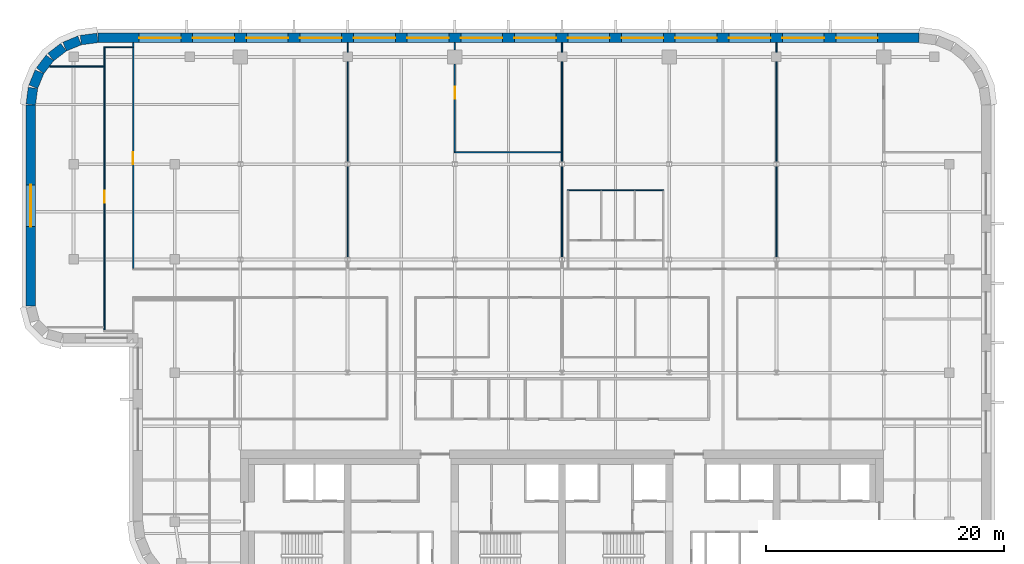
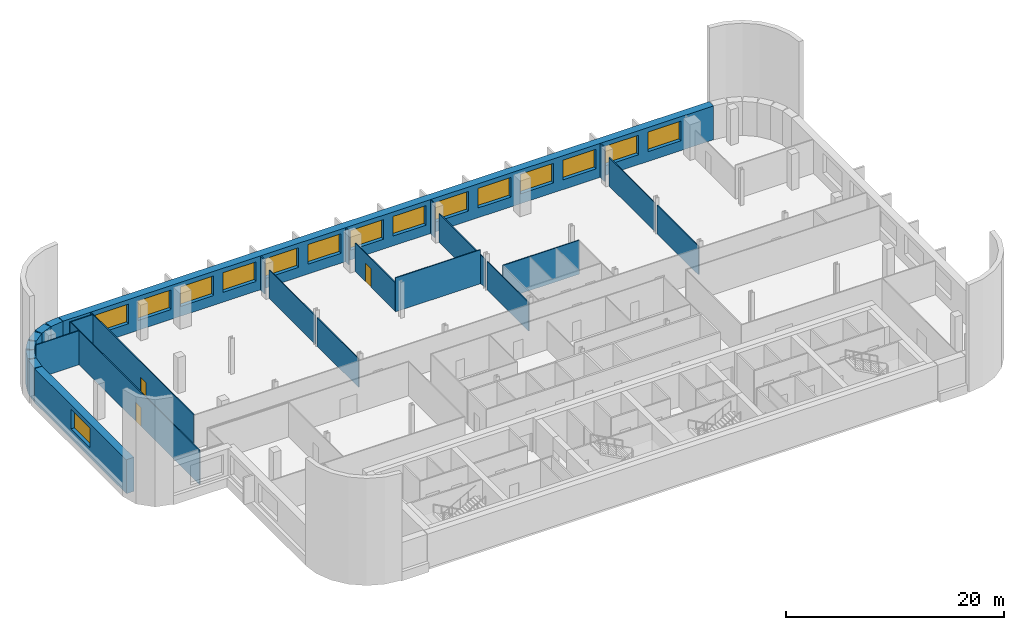
# One storey, part 10 of 16: 25 walls, 15 windows, 3 doors, 18 openings.
"""IFC4 building model written with IfcOpenShell, lengths in metres."""

import ifcopenshell
import ifcopenshell.guid

model = None  # the IFC model being written
_history = None  # IfcOwnerHistory: only IFC2X3 demands one
_inside = {}  # id of a spatial element -> (the spatial element, [elements in it])
_under = {}  # id of a project, library or spatial element -> (it, [spatial elements below it])
_declared = {}  # id of a project -> (the project, [libraries it declares])
_typed = {}  # id of a type object -> (the type object, [elements of that type])
_made_of = {}  # id of a material, layer set ... -> (it, [elements and type objects made of it])


def new_model(schema):
    """Start an empty IFC model of exactly this schema.

    Asked for "IFC4X3", IfcOpenShell would pick the latest addendum, in which some entities
    have other attributes; the version numbers below select the first issue.
    IFC2X3 requires an IfcOwnerHistory on every rooted entity: one is made here for all.
    """
    global model, _history
    if schema == "IFC4X3":
        model = ifcopenshell.file(schema_version=(4, 3, 0, 0))
    else:
        model = ifcopenshell.file(schema=schema)
    _inside.clear()
    _under.clear()
    _declared.clear()
    _typed.clear()
    _made_of.clear()
    _history = None
    if model.schema == "IFC2X3":
        org = make("IfcOrganization", Name="unknown")
        user = make(
            "IfcPersonAndOrganization",
            ThePerson=make("IfcPerson", FamilyName="unknown"),
            TheOrganization=org,
        )
        app = make(
            "IfcApplication",
            ApplicationDeveloper=org,
            Version="unknown",
            ApplicationFullName="unknown",
            ApplicationIdentifier="unknown",
        )
        _history = make(
            "IfcOwnerHistory",
            OwningUser=user,
            OwningApplication=app,
            ChangeAction="ADDED",
            CreationDate=0,
        )
    return model


def make(cls, **values):
    """One entity of the class cls with the attributes given. An attribute that is None is left unset."""
    return model.create_entity(
        cls, **{name: value for name, value in values.items() if value is not None}
    )


def rooted(cls, **values):
    """An entity with a GlobalId (a new one), such as an element, a storey or a relation."""
    return make(cls, GlobalId=ifcopenshell.guid.new(), OwnerHistory=_history, **values)


def si_unit(unit_type, name, prefix=None):
    """IfcSIUnit, for example si_unit("LENGTHUNIT", "METRE", prefix="MILLI")."""
    return make("IfcSIUnit", UnitType=unit_type, Prefix=prefix, Name=name)


def assignment(units):
    """IfcUnitAssignment: the units of a project."""
    return None if units is None else make("IfcUnitAssignment", Units=units)


def point(xyz):
    """IfcCartesianPoint."""
    return None if xyz is None else make("IfcCartesianPoint", Coordinates=xyz)


def direction(xyz):
    """IfcDirection."""
    return None if xyz is None else make("IfcDirection", DirectionRatios=xyz)


def frame(location, z_axis=None, x_axis=None):
    """IfcAxis2Placement3D, a coordinate frame: its origin and axes. An axis left out is left unset."""
    return make(
        "IfcAxis2Placement3D",
        Location=point(location),
        Axis=direction(z_axis),
        RefDirection=direction(x_axis),
    )


def frame_2d(location, x_axis=None):
    """IfcAxis2Placement2D, a coordinate frame in the plane: its origin and x axis."""
    return make(
        "IfcAxis2Placement2D", Location=point(location), RefDirection=direction(x_axis)
    )


def origin():
    """The frame at (0, 0, 0) with its axes left unset."""
    return frame((0.0, 0.0, 0.0))


def place(relative_to, where):
    """IfcLocalPlacement: puts the frame where relative to a parent placement (None: the world)."""
    return make(
        "IfcLocalPlacement", PlacementRelTo=relative_to, RelativePlacement=where
    )


def context(
    kind, dimensions, precision=None, world=None, true_north=None, identifier=None
):
    """IfcGeometricRepresentationContext, for example the 3D "Model" context."""
    return make(
        "IfcGeometricRepresentationContext",
        ContextIdentifier=identifier,
        ContextType=kind,
        CoordinateSpaceDimension=dimensions,
        Precision=precision,
        WorldCoordinateSystem=world,
        TrueNorth=true_north,
    )


def subcontext(parent, identifier, kind, view, scale=None):
    """IfcGeometricRepresentationSubContext, for example "Body" below "Model"."""
    return make(
        "IfcGeometricRepresentationSubContext",
        ContextIdentifier=identifier,
        ContextType=kind,
        ParentContext=parent,
        TargetScale=scale,
        TargetView=view,
    )


def project(units=None, contexts=None):
    """IfcProject with its units and contexts."""
    return rooted(
        "IfcProject",
        Name="project",
        RepresentationContexts=contexts,
        UnitsInContext=assignment(units),
    )


def spatial(cls, under=None, at=None, **own):
    """A site, building, storey or space (cls), placed at a placement, below another one or the project."""
    s = rooted(cls, ObjectPlacement=at, **own)
    if under is not None:
        _under.setdefault(under.id(), (under, []))[1].append(s)
    return s


def profile(cls, at=None, kind="AREA", **sizes):
    """A parametric profile (cls). Its sizes go by their IFC names, for example OverallWidth=200.0."""
    return make(cls, ProfileType=kind, Position=at, **sizes)


def rectangle(**sizes):
    """IfcRectangleProfileDef."""
    return profile("IfcRectangleProfileDef", **sizes)


def extrude(swept, where, along, depth):
    """IfcExtrudedAreaSolid: the profile swept, set in the frame where, extruded along a direction by depth."""
    return make(
        "IfcExtrudedAreaSolid",
        SweptArea=swept,
        Position=where,
        ExtrudedDirection=direction(along),
        Depth=depth,
    )


def shape(context_of_items, identifier, shape_type, items):
    """IfcShapeRepresentation: the items that make up one representation, for example the "Body"."""
    return make(
        "IfcShapeRepresentation",
        ContextOfItems=context_of_items,
        RepresentationIdentifier=identifier,
        RepresentationType=shape_type,
        Items=items,
    )


def material(Name=None, Category=None):
    """IfcMaterial."""
    return make("IfcMaterial", Name=Name, Category=Category)


def layer(
    of_material, thickness, ventilated=None, Name=None, Category=None, Priority=None
):
    """IfcMaterialLayer: one layer of a wall or slab, of a material (None: an air gap)."""
    return make(
        "IfcMaterialLayer",
        Material=of_material,
        LayerThickness=thickness,
        IsVentilated=ventilated,
        Name=Name,
        Category=Category,
        Priority=Priority,
    )


def layer_set(layers, Name=None):
    """IfcMaterialLayerSet."""
    return make("IfcMaterialLayerSet", MaterialLayers=layers, LayerSetName=Name)


def made_of(thing, what):
    """Note that an element or type object is made of a material, layer set ...; save() writes the relation."""
    if what is not None:
        _made_of.setdefault(what.id(), (what, []))[1].append(thing)
    return thing


def type_object(cls, material=None, **own):
    """A type object (cls), such as IfcWallType, which elements share."""
    return made_of(rooted(cls, **own), material)


def element(
    cls,
    number,
    at=None,
    inside=None,
    cuts=None,
    type_object=None,
    material=None,
    context=None,
    identifier="Body",
    shape_type=None,
    held_by="IfcProductDefinitionShape",
    body=None,
    shapes=None,
    **own,
):
    """One element of the class cls, such as IfcWall. Its Tag is "e" and its number.

    at: its placement. inside: the storey or other place that contains it. cuts: it is an
    opening in that element (IfcRelVoidsElement). A single representation is given by context,
    identifier, shape_type and body (its items); several are given by shapes. held_by: the class
    of the entity that holds the representations. save() writes the other relations.
    """
    e = rooted(cls, Tag="e%d" % number, ObjectPlacement=at, **own)
    if body is not None:
        shapes = [shape(context, identifier, shape_type, body)]
    if shapes is not None:
        e.Representation = make(held_by, Representations=shapes)
    if inside is not None:
        _inside.setdefault(inside.id(), (inside, []))[1].append(e)
    if cuts is not None:
        rooted(
            "IfcRelVoidsElement", RelatingBuildingElement=cuts, RelatedOpeningElement=e
        )
    if type_object is not None:
        _typed.setdefault(type_object.id(), (type_object, []))[1].append(e)
    return made_of(e, material)


def fill(opening, filler):
    """IfcRelFillsElement: the door or window that sits in an opening."""
    return rooted(
        "IfcRelFillsElement",
        RelatingOpeningElement=opening,
        RelatedBuildingElement=filler,
    )


def aggregate(whole, parts):
    """IfcRelAggregates: a whole, such as a stair, and the parts it consists of."""
    return rooted("IfcRelAggregates", RelatingObject=whole, RelatedObjects=parts)


def save(model, path):
    """Write the relations noted so far, then the file.

    IfcRelAggregates (storeys below a building ...), IfcRelContainedInSpatialStructure (elements
    in a storey), IfcRelDefinesByType, IfcRelAssociatesMaterial and IfcRelDeclares: one each for
    every whole, place, type object, material and project.
    """
    for whole, parts in _under.values():
        aggregate(whole, parts)
    for where, things in _inside.values():
        rooted(
            "IfcRelContainedInSpatialStructure",
            RelatedElements=things,
            RelatingStructure=where,
        )
    for kind, things in _typed.values():
        rooted("IfcRelDefinesByType", RelatedObjects=things, RelatingType=kind)
    for what, things in _made_of.values():
        rooted("IfcRelAssociatesMaterial", RelatedObjects=things, RelatingMaterial=what)
    for by, libraries in _declared.values():
        rooted("IfcRelDeclares", RelatingContext=by, RelatedDefinitions=libraries)
    model.write(path)


model = new_model("IFC4")

# Units and contexts
model_context = context("Model", 3, precision=1e-05, world=origin(), true_north=direction((0.0, 1.0)))
body_context = subcontext(model_context, "Body", "Model", "MODEL_VIEW")
ifc_project = project(units=[si_unit("LENGTHUNIT", "METRE"), si_unit("AREAUNIT", "SQUARE_METRE"), si_unit("VOLUMEUNIT", "CUBIC_METRE"), si_unit("PLANEANGLEUNIT", "RADIAN"), si_unit("MASSUNIT", "GRAM", prefix="KILO")], contexts=[model_context])

# Site, building, storey
site_placement = place(None, origin())
site = spatial("IfcSite", under=ifc_project, at=site_placement, CompositionType="ELEMENT")
building_placement = place(site_placement, origin())
building = spatial("IfcBuilding", under=site, at=building_placement, Name="Zellij Exchange Tower", CompositionType="ELEMENT")
storey_placement = place(building_placement, frame((0.0, 0.0, 244.5)))
storey = spatial("IfcBuildingStorey", under=building, at=storey_placement, Name="L57", CompositionType="ELEMENT", Elevation=244.5)

# Wall, openings, windows
ifc_material_1 = material(Name="Precast concrete C40/50", Category="concrete")
ifc_layer_1 = layer(ifc_material_1, 0.800048828125)
ifc_layer_set_1 = layer_set([ifc_layer_1], Name="Precast concrete C40/50")
wall_type_1 = type_object("IfcWallType", Name="ENV-EW1 Precast stone-piered wall 800", PredefinedType="SOLIDWALL", material=ifc_layer_set_1)
wall_1_placement = place(storey_placement, frame((29.947509765625, 32.60009765625, 0.0), z_axis=(0.0, 0.0, 1.0), x_axis=(-1.0, 0.0, 0.0)))
wall_1 = element("IfcWall", 1, at=wall_1_placement, inside=storey, type_object=wall_type_1, Name="fac.L57.14", PredefinedType="SOLIDWALL", context=body_context, shape_type="SweptSolid", body=[
    extrude(rectangle(XDim=68.89501953125, YDim=0.800048828125, at=frame_2d((34.447509765625, 0.0))), origin(), (0.0, 0.0, 1.0), 3.800048828125),
])
opening_1_placement = place(wall_1_placement, frame((3.447509765625, 0.0, 1.10009765625)))
opening_1 = element("IfcOpeningElement", 2, at=opening_1_placement, cuts=wall_1, Name="Opening FZ4.06", PredefinedType="OPENING", context=body_context, shape_type="SweptSolid", body=[
    extrude(rectangle(XDim=3.5, YDim=2.199951171875, at=frame_2d((1.75, 1.10009765625))), frame((0.0, 0.412109375, 0.0), z_axis=(0.0, -1.0, 0.0), x_axis=(1.0, 0.0, 0.0)), (0.0, 0.0, 1.0), 0.823974609375),
])
opening_2_placement = place(wall_1_placement, frame((7.947509765625, 0.0, 1.10009765625)))
opening_2 = element("IfcOpeningElement", 3, at=opening_2_placement, cuts=wall_1, Name="Opening FZ4.07", PredefinedType="OPENING", context=body_context, shape_type="SweptSolid", body=[
    extrude(rectangle(XDim=3.5, YDim=2.199951171875, at=frame_2d((1.75, 1.10009765625))), frame((0.0, 0.412109375, 0.0), z_axis=(0.0, -1.0, 0.0), x_axis=(1.0, 0.0, 0.0)), (0.0, 0.0, 1.0), 0.823974609375),
])
opening_3_placement = place(wall_1_placement, frame((12.447509765625, 0.0, 1.10009765625)))
opening_3 = element("IfcOpeningElement", 4, at=opening_3_placement, cuts=wall_1, Name="Opening FZ4.08", PredefinedType="OPENING", context=body_context, shape_type="SweptSolid", body=[
    extrude(rectangle(XDim=3.5, YDim=2.199951171875, at=frame_2d((1.75, 1.10009765625))), frame((0.0, 0.412109375, 0.0), z_axis=(0.0, -1.0, 0.0), x_axis=(1.0, 0.0, 0.0)), (0.0, 0.0, 1.0), 0.823974609375),
])
opening_4_placement = place(wall_1_placement, frame((16.947509765625, 0.0, 1.10009765625)))
opening_4 = element("IfcOpeningElement", 5, at=opening_4_placement, cuts=wall_1, Name="Opening FZ4.09", PredefinedType="OPENING", context=body_context, shape_type="SweptSolid", body=[
    extrude(rectangle(XDim=3.5, YDim=2.199951171875, at=frame_2d((1.75, 1.10009765625))), frame((0.0, 0.412109375, 0.0), z_axis=(0.0, -1.0, 0.0), x_axis=(1.0, 0.0, 0.0)), (0.0, 0.0, 1.0), 0.823974609375),
])
opening_5_placement = place(wall_1_placement, frame((21.447509765625, 0.0, 1.10009765625)))
opening_5 = element("IfcOpeningElement", 6, at=opening_5_placement, cuts=wall_1, Name="Opening FZ4.10", PredefinedType="OPENING", context=body_context, shape_type="SweptSolid", body=[
    extrude(rectangle(XDim=3.5, YDim=2.199951171875, at=frame_2d((1.75, 1.10009765625))), frame((0.0, 0.412109375, 0.0), z_axis=(0.0, -1.0, 0.0), x_axis=(1.0, 0.0, 0.0)), (0.0, 0.0, 1.0), 0.823974609375),
])
opening_6_placement = place(wall_1_placement, frame((25.947509765625, 0.0, 1.10009765625)))
opening_6 = element("IfcOpeningElement", 7, at=opening_6_placement, cuts=wall_1, Name="Opening FZ4.11", PredefinedType="OPENING", context=body_context, shape_type="SweptSolid", body=[
    extrude(rectangle(XDim=3.5, YDim=2.199951171875, at=frame_2d((1.75, 1.10009765625))), frame((0.0, 0.412109375, 0.0), z_axis=(0.0, -1.0, 0.0), x_axis=(1.0, 0.0, 0.0)), (0.0, 0.0, 1.0), 0.823974609375),
])
opening_7_placement = place(wall_1_placement, frame((30.447509765625, 0.0, 1.10009765625)))
opening_7 = element("IfcOpeningElement", 8, at=opening_7_placement, cuts=wall_1, Name="Opening FZ4.12", PredefinedType="OPENING", context=body_context, shape_type="SweptSolid", body=[
    extrude(rectangle(XDim=3.5, YDim=2.199951171875, at=frame_2d((1.75, 1.10009765625))), frame((0.0, 0.412109375, 0.0), z_axis=(0.0, -1.0, 0.0), x_axis=(1.0, 0.0, 0.0)), (0.0, 0.0, 1.0), 0.823974609375),
])
opening_8_placement = place(wall_1_placement, frame((34.947509765625, 0.0, 1.10009765625)))
opening_8 = element("IfcOpeningElement", 9, at=opening_8_placement, cuts=wall_1, Name="Opening FZ4.13", PredefinedType="OPENING", context=body_context, shape_type="SweptSolid", body=[
    extrude(rectangle(XDim=3.5, YDim=2.199951171875, at=frame_2d((1.75, 1.10009765625))), frame((0.0, 0.412109375, 0.0), z_axis=(0.0, -1.0, 0.0), x_axis=(1.0, 0.0, 0.0)), (0.0, 0.0, 1.0), 0.823974609375),
])
opening_9_placement = place(wall_1_placement, frame((39.447509765625, 0.0, 1.10009765625)))
opening_9 = element("IfcOpeningElement", 10, at=opening_9_placement, cuts=wall_1, Name="Opening FZ4.14", PredefinedType="OPENING", context=body_context, shape_type="SweptSolid", body=[
    extrude(rectangle(XDim=3.5, YDim=2.199951171875, at=frame_2d((1.75, 1.10009765625))), frame((0.0, 0.412109375, 0.0), z_axis=(0.0, -1.0, 0.0), x_axis=(1.0, 0.0, 0.0)), (0.0, 0.0, 1.0), 0.823974609375),
])
opening_10_placement = place(wall_1_placement, frame((43.947509765625, 0.0, 1.10009765625)))
opening_10 = element("IfcOpeningElement", 11, at=opening_10_placement, cuts=wall_1, Name="Opening FZ4.15", PredefinedType="OPENING", context=body_context, shape_type="SweptSolid", body=[
    extrude(rectangle(XDim=3.5, YDim=2.199951171875, at=frame_2d((1.75, 1.10009765625))), frame((0.0, 0.412109375, 0.0), z_axis=(0.0, -1.0, 0.0), x_axis=(1.0, 0.0, 0.0)), (0.0, 0.0, 1.0), 0.823974609375),
])
opening_11_placement = place(wall_1_placement, frame((48.447509765625, 0.0, 1.10009765625)))
opening_11 = element("IfcOpeningElement", 12, at=opening_11_placement, cuts=wall_1, Name="Opening FZ4.16", PredefinedType="OPENING", context=body_context, shape_type="SweptSolid", body=[
    extrude(rectangle(XDim=3.5, YDim=2.199951171875, at=frame_2d((1.75, 1.10009765625))), frame((0.0, 0.412109375, 0.0), z_axis=(0.0, -1.0, 0.0), x_axis=(1.0, 0.0, 0.0)), (0.0, 0.0, 1.0), 0.823974609375),
])
opening_12_placement = place(wall_1_placement, frame((52.947509765625, 0.0, 1.10009765625)))
opening_12 = element("IfcOpeningElement", 13, at=opening_12_placement, cuts=wall_1, Name="Opening FZ4.17", PredefinedType="OPENING", context=body_context, shape_type="SweptSolid", body=[
    extrude(rectangle(XDim=3.5, YDim=2.199951171875, at=frame_2d((1.75, 1.10009765625))), frame((0.0, 0.412109375, 0.0), z_axis=(0.0, -1.0, 0.0), x_axis=(1.0, 0.0, 0.0)), (0.0, 0.0, 1.0), 0.823974609375),
])
opening_13_placement = place(wall_1_placement, frame((57.447509765625, 0.0, 1.10009765625)))
opening_13 = element("IfcOpeningElement", 14, at=opening_13_placement, cuts=wall_1, Name="Opening FZ4.18", PredefinedType="OPENING", context=body_context, shape_type="SweptSolid", body=[
    extrude(rectangle(XDim=3.5, YDim=2.199951171875, at=frame_2d((1.75, 1.10009765625))), frame((0.0, 0.412109375, 0.0), z_axis=(0.0, -1.0, 0.0), x_axis=(1.0, 0.0, 0.0)), (0.0, 0.0, 1.0), 0.823974609375),
])
opening_14_placement = place(wall_1_placement, frame((61.947509765625, 0.0, 1.10009765625)))
opening_14 = element("IfcOpeningElement", 15, at=opening_14_placement, cuts=wall_1, Name="Opening FZ4.19", PredefinedType="OPENING", context=body_context, shape_type="SweptSolid", body=[
    extrude(rectangle(XDim=3.5, YDim=2.199951171875, at=frame_2d((1.75, 1.10009765625))), frame((0.0, 0.412109375, 0.0), z_axis=(0.0, -1.0, 0.0), x_axis=(1.0, 0.0, 0.0)), (0.0, 0.0, 1.0), 0.823974609375),
])
ifc_material_2 = material(Name="Aluminium frame with insulating glass", Category="aluminium")
window_type = type_object("IfcWindowType", Name="ENV-W7 Window 3500x2200", PartitioningType="SINGLE_PANEL", PredefinedType="WINDOW", material=ifc_material_2)
window_1_placement = place(opening_1_placement, origin())
window_1 = element("IfcWindow", 16, at=window_1_placement, inside=storey, type_object=window_type, Name="Window FZ4.06", OverallHeight=2.199951171875, OverallWidth=3.5, PartitioningType="SINGLE_PANEL", PredefinedType="WINDOW", context=body_context, shape_type="SweptSolid", body=[
    extrude(rectangle(XDim=3.5, YDim=2.199951171875, at=frame_2d((1.75, 1.10009765625))), frame((0.0, 0.030029296875, 0.0), z_axis=(0.0, -1.0, 0.0), x_axis=(1.0, 0.0, 0.0)), (0.0, 0.0, 1.0), 0.06005859375),
])
fill(opening_1, window_1)
window_2_placement = place(opening_2_placement, origin())
window_2 = element("IfcWindow", 17, at=window_2_placement, inside=storey, type_object=window_type, Name="Window FZ4.07", OverallHeight=2.199951171875, OverallWidth=3.5, PartitioningType="SINGLE_PANEL", PredefinedType="WINDOW", context=body_context, shape_type="SweptSolid", body=[
    extrude(rectangle(XDim=3.5, YDim=2.199951171875, at=frame_2d((1.75, 1.10009765625))), frame((0.0, 0.030029296875, 0.0), z_axis=(0.0, -1.0, 0.0), x_axis=(1.0, 0.0, 0.0)), (0.0, 0.0, 1.0), 0.06005859375),
])
fill(opening_2, window_2)
window_3_placement = place(opening_3_placement, origin())
window_3 = element("IfcWindow", 18, at=window_3_placement, inside=storey, type_object=window_type, Name="Window FZ4.08", OverallHeight=2.199951171875, OverallWidth=3.5, PartitioningType="SINGLE_PANEL", PredefinedType="WINDOW", context=body_context, shape_type="SweptSolid", body=[
    extrude(rectangle(XDim=3.5, YDim=2.199951171875, at=frame_2d((1.75, 1.10009765625))), frame((0.0, 0.030029296875, 0.0), z_axis=(0.0, -1.0, 0.0), x_axis=(1.0, 0.0, 0.0)), (0.0, 0.0, 1.0), 0.06005859375),
])
fill(opening_3, window_3)
window_4_placement = place(opening_4_placement, origin())
window_4 = element("IfcWindow", 19, at=window_4_placement, inside=storey, type_object=window_type, Name="Window FZ4.09", OverallHeight=2.199951171875, OverallWidth=3.5, PartitioningType="SINGLE_PANEL", PredefinedType="WINDOW", context=body_context, shape_type="SweptSolid", body=[
    extrude(rectangle(XDim=3.5, YDim=2.199951171875, at=frame_2d((1.75, 1.10009765625))), frame((0.0, 0.030029296875, 0.0), z_axis=(0.0, -1.0, 0.0), x_axis=(1.0, 0.0, 0.0)), (0.0, 0.0, 1.0), 0.06005859375),
])
fill(opening_4, window_4)
window_5_placement = place(opening_5_placement, origin())
window_5 = element("IfcWindow", 20, at=window_5_placement, inside=storey, type_object=window_type, Name="Window FZ4.10", OverallHeight=2.199951171875, OverallWidth=3.5, PartitioningType="SINGLE_PANEL", PredefinedType="WINDOW", context=body_context, shape_type="SweptSolid", body=[
    extrude(rectangle(XDim=3.5, YDim=2.199951171875, at=frame_2d((1.75, 1.10009765625))), frame((0.0, 0.030029296875, 0.0), z_axis=(0.0, -1.0, 0.0), x_axis=(1.0, 0.0, 0.0)), (0.0, 0.0, 1.0), 0.06005859375),
])
fill(opening_5, window_5)
window_6_placement = place(opening_6_placement, origin())
window_6 = element("IfcWindow", 21, at=window_6_placement, inside=storey, type_object=window_type, Name="Window FZ4.11", OverallHeight=2.199951171875, OverallWidth=3.5, PartitioningType="SINGLE_PANEL", PredefinedType="WINDOW", context=body_context, shape_type="SweptSolid", body=[
    extrude(rectangle(XDim=3.5, YDim=2.199951171875, at=frame_2d((1.75, 1.10009765625))), frame((0.0, 0.030029296875, 0.0), z_axis=(0.0, -1.0, 0.0), x_axis=(1.0, 0.0, 0.0)), (0.0, 0.0, 1.0), 0.06005859375),
])
fill(opening_6, window_6)
window_7_placement = place(opening_7_placement, origin())
window_7 = element("IfcWindow", 22, at=window_7_placement, inside=storey, type_object=window_type, Name="Window FZ4.12", OverallHeight=2.199951171875, OverallWidth=3.5, PartitioningType="SINGLE_PANEL", PredefinedType="WINDOW", context=body_context, shape_type="SweptSolid", body=[
    extrude(rectangle(XDim=3.5, YDim=2.199951171875, at=frame_2d((1.75, 1.10009765625))), frame((0.0, 0.030029296875, 0.0), z_axis=(0.0, -1.0, 0.0), x_axis=(1.0, 0.0, 0.0)), (0.0, 0.0, 1.0), 0.06005859375),
])
fill(opening_7, window_7)
window_8_placement = place(opening_8_placement, origin())
window_8 = element("IfcWindow", 23, at=window_8_placement, inside=storey, type_object=window_type, Name="Window FZ4.13", OverallHeight=2.199951171875, OverallWidth=3.5, PartitioningType="SINGLE_PANEL", PredefinedType="WINDOW", context=body_context, shape_type="SweptSolid", body=[
    extrude(rectangle(XDim=3.5, YDim=2.199951171875, at=frame_2d((1.75, 1.10009765625))), frame((0.0, 0.030029296875, 0.0), z_axis=(0.0, -1.0, 0.0), x_axis=(1.0, 0.0, 0.0)), (0.0, 0.0, 1.0), 0.06005859375),
])
fill(opening_8, window_8)
window_9_placement = place(opening_9_placement, origin())
window_9 = element("IfcWindow", 24, at=window_9_placement, inside=storey, type_object=window_type, Name="Window FZ4.14", OverallHeight=2.199951171875, OverallWidth=3.5, PartitioningType="SINGLE_PANEL", PredefinedType="WINDOW", context=body_context, shape_type="SweptSolid", body=[
    extrude(rectangle(XDim=3.5, YDim=2.199951171875, at=frame_2d((1.75, 1.10009765625))), frame((0.0, 0.030029296875, 0.0), z_axis=(0.0, -1.0, 0.0), x_axis=(1.0, 0.0, 0.0)), (0.0, 0.0, 1.0), 0.06005859375),
])
fill(opening_9, window_9)
window_10_placement = place(opening_10_placement, origin())
window_10 = element("IfcWindow", 25, at=window_10_placement, inside=storey, type_object=window_type, Name="Window FZ4.15", OverallHeight=2.199951171875, OverallWidth=3.5, PartitioningType="SINGLE_PANEL", PredefinedType="WINDOW", context=body_context, shape_type="SweptSolid", body=[
    extrude(rectangle(XDim=3.5, YDim=2.199951171875, at=frame_2d((1.75, 1.10009765625))), frame((0.0, 0.030029296875, 0.0), z_axis=(0.0, -1.0, 0.0), x_axis=(1.0, 0.0, 0.0)), (0.0, 0.0, 1.0), 0.06005859375),
])
fill(opening_10, window_10)
window_11_placement = place(opening_11_placement, origin())
window_11 = element("IfcWindow", 26, at=window_11_placement, inside=storey, type_object=window_type, Name="Window FZ4.16", OverallHeight=2.199951171875, OverallWidth=3.5, PartitioningType="SINGLE_PANEL", PredefinedType="WINDOW", context=body_context, shape_type="SweptSolid", body=[
    extrude(rectangle(XDim=3.5, YDim=2.199951171875, at=frame_2d((1.75, 1.10009765625))), frame((0.0, 0.030029296875, 0.0), z_axis=(0.0, -1.0, 0.0), x_axis=(1.0, 0.0, 0.0)), (0.0, 0.0, 1.0), 0.06005859375),
])
fill(opening_11, window_11)
window_12_placement = place(opening_12_placement, origin())
window_12 = element("IfcWindow", 27, at=window_12_placement, inside=storey, type_object=window_type, Name="Window FZ4.17", OverallHeight=2.199951171875, OverallWidth=3.5, PartitioningType="SINGLE_PANEL", PredefinedType="WINDOW", context=body_context, shape_type="SweptSolid", body=[
    extrude(rectangle(XDim=3.5, YDim=2.199951171875, at=frame_2d((1.75, 1.10009765625))), frame((0.0, 0.030029296875, 0.0), z_axis=(0.0, -1.0, 0.0), x_axis=(1.0, 0.0, 0.0)), (0.0, 0.0, 1.0), 0.06005859375),
])
fill(opening_12, window_12)
window_13_placement = place(opening_13_placement, origin())
window_13 = element("IfcWindow", 28, at=window_13_placement, inside=storey, type_object=window_type, Name="Window FZ4.18", OverallHeight=2.199951171875, OverallWidth=3.5, PartitioningType="SINGLE_PANEL", PredefinedType="WINDOW", context=body_context, shape_type="SweptSolid", body=[
    extrude(rectangle(XDim=3.5, YDim=2.199951171875, at=frame_2d((1.75, 1.10009765625))), frame((0.0, 0.030029296875, 0.0), z_axis=(0.0, -1.0, 0.0), x_axis=(1.0, 0.0, 0.0)), (0.0, 0.0, 1.0), 0.06005859375),
])
fill(opening_13, window_13)
window_14_placement = place(opening_14_placement, origin())
window_14 = element("IfcWindow", 29, at=window_14_placement, inside=storey, type_object=window_type, Name="Window FZ4.19", OverallHeight=2.199951171875, OverallWidth=3.5, PartitioningType="SINGLE_PANEL", PredefinedType="WINDOW", context=body_context, shape_type="SweptSolid", body=[
    extrude(rectangle(XDim=3.5, YDim=2.199951171875, at=frame_2d((1.75, 1.10009765625))), frame((0.0, 0.030029296875, 0.0), z_axis=(0.0, -1.0, 0.0), x_axis=(1.0, 0.0, 0.0)), (0.0, 0.0, 1.0), 0.06005859375),
])
fill(opening_14, window_14)

# Walls
wall_2_placement = place(storey_placement, frame((-38.999755859375, 32.5966796875, 0.0), z_axis=(0.0, 0.0, 1.0), x_axis=(-0.99144603414, -0.130517283865, 0.0)))
element("IfcWall", 30, at=wall_2_placement, inside=storey, type_object=wall_type_1, Name="fac.L57.15", PredefinedType="SOLIDWALL", context=body_context, shape_type="SweptSolid", body=[
    extrude(rectangle(XDim=1.408447265625, YDim=0.800048828125, at=frame_2d((0.7041015625, 0.0))), origin(), (0.0, 0.0, 1.0), 3.800048828125),
])
wall_3_placement = place(storey_placement, frame((-40.497314453125, 32.3857421875, 0.0), z_axis=(0.0, 0.0, 1.0), x_axis=(-0.923847774587, -0.38276009378, 0.0)))
element("IfcWall", 31, at=wall_3_placement, inside=storey, type_object=wall_type_1, Name="fac.L57.16", PredefinedType="SOLIDWALL", context=body_context, shape_type="SweptSolid", body=[
    extrude(rectangle(XDim=1.35546875, YDim=0.800048828125, at=frame_2d((0.677734375, 0.0))), origin(), (0.0, 0.0, 1.0), 3.800048828125),
])
for number, where, z_axis, x_axis, name in (
    (32, (-41.840087890625, 31.814697265625, 0.0), (0.0, 0.0, 1.0), (-0.793272915452, -0.608866226366, 0.0), "fac.L57.17"),
    (33, (-42.9892578125, 30.91552734375, 0.0), (0.0, 0.0, 1.0), (-0.608866226366, -0.793272915452, 0.0), "fac.L57.18"),
):
    element("IfcWall", number, at=place(storey_placement, frame(where, z_axis=z_axis, x_axis=x_axis)), inside=storey, type_object=wall_type_1, Name=name, PredefinedType="SOLIDWALL", context=body_context, shape_type="SweptSolid", body=[
        extrude(rectangle(XDim=1.355712890625, YDim=0.800048828125, at=frame_2d((0.677734375, 0.0))), origin(), (0.0, 0.0, 1.0), 3.800048828125),
    ])
wall_4_placement = place(storey_placement, frame((-43.866943359375, 29.74951171875, 0.0), z_axis=(0.0, 0.0, 1.0), x_axis=(-0.38276009378, -0.923847774587, 0.0)))
element("IfcWall", 34, at=wall_4_placement, inside=storey, type_object=wall_type_1, Name="fac.L57.19", PredefinedType="SOLIDWALL", context=body_context, shape_type="SweptSolid", body=[
    extrude(rectangle(XDim=1.35546875, YDim=0.800048828125, at=frame_2d((0.677734375, 0.0))), origin(), (0.0, 0.0, 1.0), 3.800048828125),
])
wall_5_placement = place(storey_placement, frame((-44.412841796875, 28.396240234375, 0.0), z_axis=(0.0, 0.0, 1.0), x_axis=(-0.130517283865, -0.99144603414, 0.0)))
element("IfcWall", 35, at=wall_5_placement, inside=storey, type_object=wall_type_1, Name="fac.L57.20", PredefinedType="SOLIDWALL", context=body_context, shape_type="SweptSolid", body=[
    extrude(rectangle(XDim=1.408447265625, YDim=0.800048828125, at=frame_2d((0.7041015625, 0.0))), origin(), (0.0, 0.0, 1.0), 3.800048828125),
])

# Wall, opening, window
wall_6_placement = place(storey_placement, frame((-44.60009765625, 26.947509765625, 0.0), z_axis=(0.0, 0.0, 1.0), x_axis=(0.0, -1.0, 0.0)))
wall_6 = element("IfcWall", 36, at=wall_6_placement, inside=storey, type_object=wall_type_1, Name="fac.L57.21", PredefinedType="SOLIDWALL", context=body_context, shape_type="SweptSolid", body=[
    extrude(rectangle(XDim=16.842041015625, YDim=0.800048828125, at=frame_2d((8.4208984375, 0.0))), origin(), (0.0, 0.0, 1.0), 3.800048828125),
])
opening_15_placement = place(wall_6_placement, frame((6.684326171875, 0.0, 1.10009765625)))
opening_15 = element("IfcOpeningElement", 37, at=opening_15_placement, cuts=wall_6, Name="Opening FZ4.20", PredefinedType="OPENING", context=body_context, shape_type="SweptSolid", body=[
    extrude(rectangle(XDim=3.5, YDim=2.199951171875, at=frame_2d((1.75, 1.10009765625))), frame((0.0, 0.412109375, 0.0), z_axis=(0.0, -1.0, 0.0), x_axis=(1.0, 0.0, 0.0)), (0.0, 0.0, 1.0), 0.823974609375),
])
window_15_placement = place(opening_15_placement, origin())
window_15 = element("IfcWindow", 38, at=window_15_placement, inside=storey, type_object=window_type, Name="Window FZ4.20", OverallHeight=2.199951171875, OverallWidth=3.5, PartitioningType="SINGLE_PANEL", PredefinedType="WINDOW", context=body_context, shape_type="SweptSolid", body=[
    extrude(rectangle(XDim=3.5, YDim=2.199951171875, at=frame_2d((1.75, 1.10009765625))), frame((0.0, 0.030029296875, 0.0), z_axis=(0.0, -1.0, 0.0), x_axis=(1.0, 0.0, 0.0)), (0.0, 0.0, 1.0), 0.06005859375),
])
fill(opening_15, window_15)

# Wall, opening, door
ifc_material_3 = material(Name="Gypsum board partition on steel studs", Category="steel")
ifc_layer_2 = layer(ifc_material_3, 0.10009765625)
ifc_layer_set_2 = layer_set([ifc_layer_2], Name="Gypsum board partition on steel studs")
wall_type_2 = type_object("IfcWallType", Name="FIT-PARTITION-100", PredefinedType="PARTITIONING", material=ifc_layer_set_2)
wall_7_placement = place(storey_placement, frame((-38.39990234375, 8.050048828125, 0.0), z_axis=(0.0, 0.0, 1.0), x_axis=(0.0, 1.0, 0.0)))
wall_7 = element("IfcWall", 39, at=wall_7_placement, inside=storey, type_object=wall_type_2, Name="FIT-PARTITION-100 029", PredefinedType="PARTITIONING", context=body_context, shape_type="SweptSolid", body=[
    extrude(rectangle(XDim=23.699951171875, YDim=0.10009765625, at=frame_2d((11.85009765625, 0.0))), origin(), (0.0, 0.0, 1.0), 3.800048828125),
])
opening_16_placement = place(wall_7_placement, frame((10.699951171875, 0.0, 0.0)))
opening_16 = element("IfcOpeningElement", 40, at=opening_16_placement, cuts=wall_7, Name="Opening O4D.23", PredefinedType="OPENING", context=body_context, shape_type="SweptSolid", body=[
    extrude(rectangle(XDim=1.0, YDim=2.10009765625, at=frame_2d((0.5, 1.050048828125))), frame((0.0, 0.06201171875, 0.0), z_axis=(0.0, -1.0, 0.0), x_axis=(1.0, 0.0, 0.0)), (0.0, 0.0, 1.0), 0.1240234375),
])
ifc_material_4 = material(Name="Timber door set", Category="wood")
door_type = type_object("IfcDoorType", Name="FIT-D2-WIDE-1000X2100", OperationType="SINGLE_SWING_LEFT", PredefinedType="DOOR", material=ifc_material_4)
door_1_placement = place(opening_16_placement, origin())
door_1 = element("IfcDoor", 41, at=door_1_placement, inside=storey, type_object=door_type, Name="Door O4D.23", OperationType="SINGLE_SWING_RIGHT", OverallHeight=2.10009765625, OverallWidth=1.0, PredefinedType="DOOR", context=body_context, shape_type="SweptSolid", body=[
    extrude(rectangle(XDim=1.0, YDim=2.10009765625, at=frame_2d((0.5, 1.050048828125))), frame((0.0, 0.02490234375, 0.0), z_axis=(0.0, -1.0, 0.0), x_axis=(1.0, 0.0, 0.0)), (0.0, 0.0, 1.0), 0.050048828125),
])
fill(opening_16, door_1)

wall_8_placement = place(storey_placement, frame((-36.0, 13.25, 0.0), z_axis=(0.0, 0.0, 1.0), x_axis=(0.0, 1.0, 0.0)))
wall_8 = element("IfcWall", 42, at=wall_8_placement, inside=storey, type_object=wall_type_2, Name="FIT-PARTITION-100 037", PredefinedType="PARTITIONING", context=body_context, shape_type="SweptSolid", body=[
    extrude(rectangle(XDim=18.949951171875, YDim=0.10009765625, at=frame_2d((9.47509765625, 0.0))), origin(), (0.0, 0.0, 1.0), 3.800048828125),
])
opening_17_placement = place(wall_8_placement, frame((8.75, 0.0, 0.0)))
opening_17 = element("IfcOpeningElement", 43, at=opening_17_placement, cuts=wall_8, Name="Opening O4D.24", PredefinedType="OPENING", context=body_context, shape_type="SweptSolid", body=[
    extrude(rectangle(XDim=1.0, YDim=2.10009765625, at=frame_2d((0.5, 1.050048828125))), frame((0.0, 0.06201171875, 0.0), z_axis=(0.0, -1.0, 0.0), x_axis=(1.0, 0.0, 0.0)), (0.0, 0.0, 1.0), 0.1240234375),
])
door_2_placement = place(opening_17_placement, origin())
door_2 = element("IfcDoor", 44, at=door_2_placement, inside=storey, type_object=door_type, Name="Door O4D.24", OperationType="SINGLE_SWING_LEFT", OverallHeight=2.10009765625, OverallWidth=1.0, PredefinedType="DOOR", context=body_context, shape_type="SweptSolid", body=[
    extrude(rectangle(XDim=1.0, YDim=2.10009765625, at=frame_2d((0.5, 1.050048828125))), frame((0.0, 0.02490234375, 0.0), z_axis=(0.0, -1.0, 0.0), x_axis=(1.0, 0.0, 0.0)), (0.0, 0.0, 1.0), 0.050048828125),
])
fill(opening_17, door_2)

# Walls
wall_9_placement = place(storey_placement, frame((-18.0, 14.193115234375, 0.0), z_axis=(0.0, 0.0, 1.0), x_axis=(0.0, 1.0, 0.0)))
element("IfcWall", 45, at=wall_9_placement, inside=storey, type_object=wall_type_2, Name="FIT-PARTITION-100 039", PredefinedType="PARTITIONING", context=body_context, shape_type="SweptSolid", body=[
    extrude(rectangle(XDim=7.61376953125, YDim=0.10009765625, at=frame_2d((3.806884765625, 0.0))), origin(), (0.0, 0.0, 1.0), 3.19287109375),
])
wall_10_placement = place(storey_placement, frame((-18.0, 22.193115234375, 0.0), z_axis=(0.0, 0.0, 1.0), x_axis=(0.0, 1.0, 0.0)))
element("IfcWall", 46, at=wall_10_placement, inside=storey, type_object=wall_type_2, Name="FIT-PARTITION-100 040", PredefinedType="PARTITIONING", context=body_context, shape_type="SweptSolid", body=[
    extrude(rectangle(XDim=8.406982421875, YDim=0.10009765625, at=frame_2d((4.20361328125, 0.0))), origin(), (0.0, 0.0, 1.0), 3.19287109375),
])
wall_11_placement = place(storey_placement, frame((-18.0, 31.39990234375, 0.0), z_axis=(0.0, 0.0, 1.0), x_axis=(0.0, 1.0, 0.0)))
element("IfcWall", 47, at=wall_11_placement, inside=storey, type_object=wall_type_2, Name="FIT-PARTITION-100 041", PredefinedType="PARTITIONING", context=body_context, shape_type="SweptSolid", body=[
    extrude(rectangle(XDim=0.800048828125, YDim=0.10009765625, at=frame_2d((0.39990234375, 0.0))), origin(), (0.0, 0.0, 1.0), 3.800048828125),
])
wall_12_placement = place(storey_placement, frame((0.0, 14.193115234375, 0.0), z_axis=(0.0, 0.0, 1.0), x_axis=(0.0, 1.0, 0.0)))
element("IfcWall", 48, at=wall_12_placement, inside=storey, type_object=wall_type_2, Name="FIT-PARTITION-100 043", PredefinedType="PARTITIONING", context=body_context, shape_type="SweptSolid", body=[
    extrude(rectangle(XDim=7.61376953125, YDim=0.10009765625, at=frame_2d((3.806884765625, 0.0))), origin(), (0.0, 0.0, 1.0), 3.19287109375),
])
wall_13_placement = place(storey_placement, frame((0.0, 22.193115234375, 0.0), z_axis=(0.0, 0.0, 1.0), x_axis=(0.0, 1.0, 0.0)))
element("IfcWall", 49, at=wall_13_placement, inside=storey, type_object=wall_type_2, Name="FIT-PARTITION-100 044", PredefinedType="PARTITIONING", context=body_context, shape_type="SweptSolid", body=[
    extrude(rectangle(XDim=8.406982421875, YDim=0.10009765625, at=frame_2d((4.20361328125, 0.0))), origin(), (0.0, 0.0, 1.0), 3.19287109375),
])
wall_14_placement = place(storey_placement, frame((0.0, 31.39990234375, 0.0), z_axis=(0.0, 0.0, 1.0), x_axis=(0.0, 1.0, 0.0)))
element("IfcWall", 50, at=wall_14_placement, inside=storey, type_object=wall_type_2, Name="FIT-PARTITION-100 045", PredefinedType="PARTITIONING", context=body_context, shape_type="SweptSolid", body=[
    extrude(rectangle(XDim=0.800048828125, YDim=0.10009765625, at=frame_2d((0.39990234375, 0.0))), origin(), (0.0, 0.0, 1.0), 3.800048828125),
])
wall_15_placement = place(storey_placement, frame((18.0, 14.193115234375, 0.0), z_axis=(0.0, 0.0, 1.0), x_axis=(0.0, 1.0, 0.0)))
element("IfcWall", 51, at=wall_15_placement, inside=storey, type_object=wall_type_2, Name="FIT-PARTITION-100 049", PredefinedType="PARTITIONING", context=body_context, shape_type="SweptSolid", body=[
    extrude(rectangle(XDim=7.61376953125, YDim=0.10009765625, at=frame_2d((3.806884765625, 0.0))), origin(), (0.0, 0.0, 1.0), 3.19287109375),
])
wall_16_placement = place(storey_placement, frame((18.0, 22.193115234375, 0.0), z_axis=(0.0, 0.0, 1.0), x_axis=(0.0, 1.0, 0.0)))
element("IfcWall", 52, at=wall_16_placement, inside=storey, type_object=wall_type_2, Name="FIT-PARTITION-100 050", PredefinedType="PARTITIONING", context=body_context, shape_type="SweptSolid", body=[
    extrude(rectangle(XDim=8.406982421875, YDim=0.10009765625, at=frame_2d((4.20361328125, 0.0))), origin(), (0.0, 0.0, 1.0), 3.19287109375),
])
wall_17_placement = place(storey_placement, frame((18.0, 31.39990234375, 0.0), z_axis=(0.0, 0.0, 1.0), x_axis=(0.0, 1.0, 0.0)))
element("IfcWall", 53, at=wall_17_placement, inside=storey, type_object=wall_type_2, Name="FIT-PARTITION-100 051", PredefinedType="PARTITIONING", context=body_context, shape_type="SweptSolid", body=[
    extrude(rectangle(XDim=0.800048828125, YDim=0.10009765625, at=frame_2d((0.39990234375, 0.0))), origin(), (0.0, 0.0, 1.0), 3.800048828125),
])
wall_18_placement = place(storey_placement, frame((0.449951171875, 19.800048828125, 0.0), z_axis=(0.0, 0.0, 1.0), x_axis=(1.0, 0.0, 0.0)))
element("IfcWall", 54, at=wall_18_placement, inside=storey, type_object=wall_type_2, Name="FIT-PARTITION-100 055", PredefinedType="PARTITIONING", context=body_context, shape_type="SweptSolid", body=[
    extrude(rectangle(XDim=8.10009765625, YDim=0.10009765625, at=frame_2d((4.050048828125, 0.0))), origin(), (0.0, 0.0, 1.0), 3.800048828125),
])
wall_19_placement = place(storey_placement, frame((-9.050048828125, 23.0, 0.0), z_axis=(0.0, 0.0, 1.0), x_axis=(1.0, 0.0, 0.0)))
element("IfcWall", 55, at=wall_19_placement, inside=storey, type_object=wall_type_2, Name="FIT-PARTITION-100 056", PredefinedType="PARTITIONING", context=body_context, shape_type="SweptSolid", body=[
    extrude(rectangle(XDim=9.0, YDim=0.10009765625, at=frame_2d((4.5, 0.0))), origin(), (0.0, 0.0, 1.0), 3.800048828125),
])

# Wall, opening, door
wall_20_placement = place(storey_placement, frame((-9.0, 23.050048828125, 0.0), z_axis=(0.0, 0.0, 1.0), x_axis=(0.0, 1.0, 0.0)))
wall_20 = element("IfcWall", 56, at=wall_20_placement, inside=storey, type_object=wall_type_2, Name="FIT-PARTITION-100 057", PredefinedType="PARTITIONING", context=body_context, shape_type="SweptSolid", body=[
    extrude(rectangle(XDim=7.349853515625, YDim=0.10009765625, at=frame_2d((3.6748046875, 0.0))), origin(), (0.0, 0.0, 1.0), 3.19287109375),
])
opening_18_placement = place(wall_20_placement, frame((4.449951171875, 0.0, 0.0)))
opening_18 = element("IfcOpeningElement", 57, at=opening_18_placement, cuts=wall_20, Name="Opening O4D.25", PredefinedType="OPENING", context=body_context, shape_type="SweptSolid", body=[
    extrude(rectangle(XDim=1.0, YDim=2.10009765625, at=frame_2d((0.5, 1.050048828125))), frame((0.0, 0.06201171875, 0.0), z_axis=(0.0, -1.0, 0.0), x_axis=(1.0, 0.0, 0.0)), (0.0, 0.0, 1.0), 0.1240234375),
])
door_3_placement = place(opening_18_placement, origin())
door_3 = element("IfcDoor", 58, at=door_3_placement, inside=storey, type_object=door_type, Name="Door O4D.25", OperationType="SINGLE_SWING_RIGHT", OverallHeight=2.10009765625, OverallWidth=1.0, PredefinedType="DOOR", context=body_context, shape_type="SweptSolid", body=[
    extrude(rectangle(XDim=1.0, YDim=2.10009765625, at=frame_2d((0.5, 1.050048828125))), frame((0.0, 0.02490234375, 0.0), z_axis=(0.0, -1.0, 0.0), x_axis=(1.0, 0.0, 0.0)), (0.0, 0.0, 1.0), 0.050048828125),
])
fill(opening_18, door_3)

# Walls
wall_21_placement = place(storey_placement, frame((-9.0, 31.60009765625, 0.0), z_axis=(0.0, 0.0, 1.0), x_axis=(0.0, 1.0, 0.0)))
element("IfcWall", 59, at=wall_21_placement, inside=storey, type_object=wall_type_2, Name="FIT-PARTITION-100 058", PredefinedType="PARTITIONING", context=body_context, shape_type="SweptSolid", body=[
    extrude(rectangle(XDim=0.599853515625, YDim=0.10009765625, at=frame_2d((0.2998046875, 0.0))), origin(), (0.0, 0.0, 1.0), 3.800048828125),
])
wall_22_placement = place(storey_placement, frame((-43.0, 30.199951171875, 0.0), z_axis=(0.0, 0.0, 1.0), x_axis=(1.0, 0.0, 0.0)))
element("IfcWall", 60, at=wall_22_placement, inside=storey, type_object=wall_type_2, Name="FIT-PARTITION-100 062", PredefinedType="PARTITIONING", context=body_context, shape_type="SweptSolid", body=[
    extrude(rectangle(XDim=4.550048828125, YDim=0.10009765625, at=frame_2d((2.27490234375, 0.0))), origin(), (0.0, 0.0, 1.0), 3.800048828125),
])
wall_23_placement = place(storey_placement, frame((-38.449951171875, 31.800048828125, 0.0), z_axis=(0.0, 0.0, 1.0), x_axis=(1.0, 0.0, 0.0)))
element("IfcWall", 61, at=wall_23_placement, inside=storey, type_object=wall_type_2, Name="FIT-PARTITION-100 063", PredefinedType="PARTITIONING", context=body_context, shape_type="SweptSolid", body=[
    extrude(rectangle(XDim=2.39990234375, YDim=0.10009765625, at=frame_2d((1.199951171875, 0.0))), origin(), (0.0, 0.0, 1.0), 3.800048828125),
])

save(model, "model.ifc")
